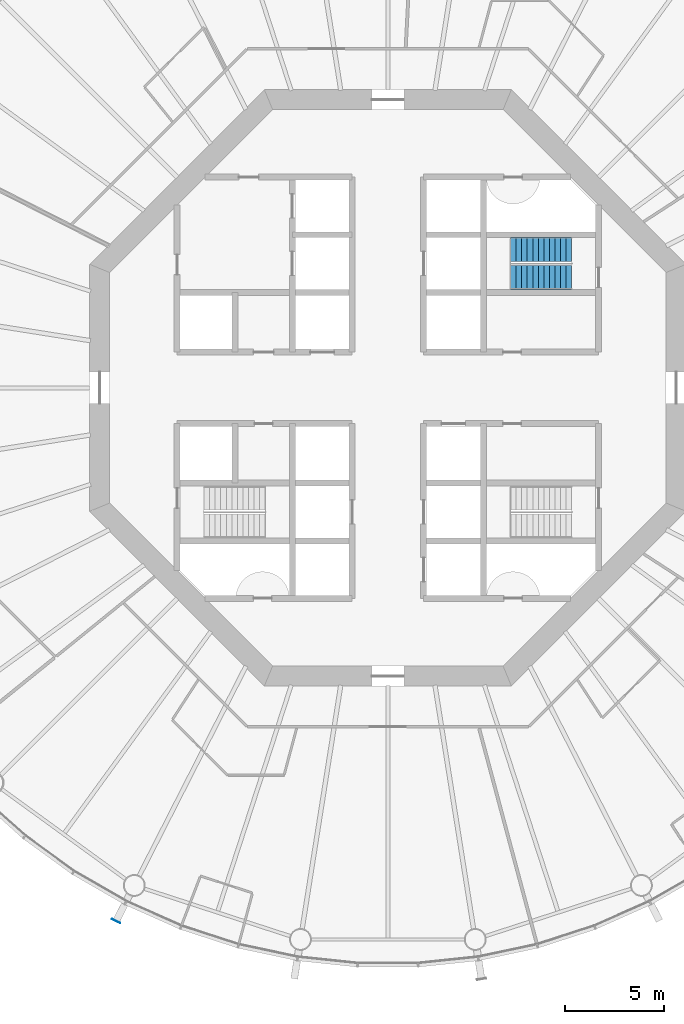
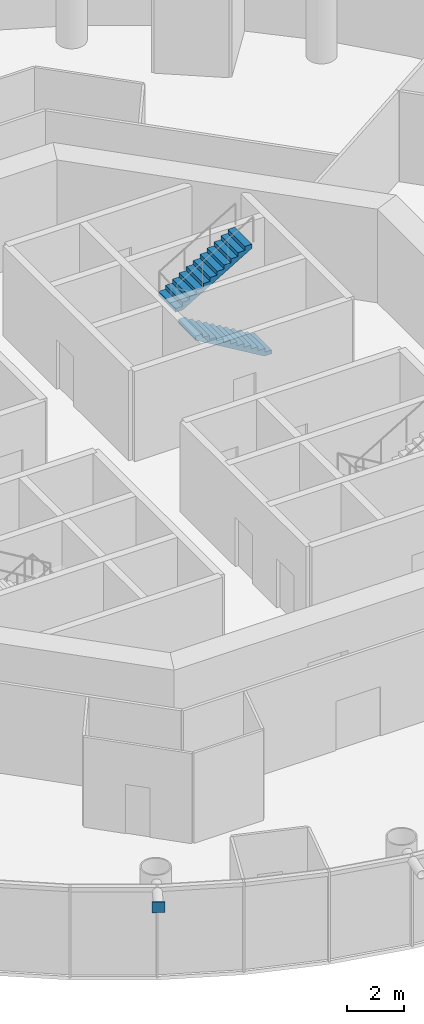
# One storey, part 6 of 17: 2 stair flights, 1 discrete accessory, 1 element without a shape of its own.
"""IFC4 building model written with IfcOpenShell, lengths in metres."""

from ifc_helpers import new_model, si_unit, direction, frame, origin, origin_2d, place, context, subcontext, project, spatial, polyline, rectangle, outline, extrude, material, type_object, element, aggregate, save


model = new_model("IFC4")

# Units and contexts
model_context = context("Model", 3, precision=1e-05, world=origin(), true_north=direction((0.0, 1.0)))
body_context = subcontext(model_context, "Body", "Model", "MODEL_VIEW")
ifc_project = project(units=[si_unit("LENGTHUNIT", "METRE"), si_unit("AREAUNIT", "SQUARE_METRE"), si_unit("VOLUMEUNIT", "CUBIC_METRE"), si_unit("PLANEANGLEUNIT", "RADIAN"), si_unit("MASSUNIT", "GRAM", prefix="KILO")], contexts=[model_context])

# Site, building, storey
site_placement = place(None, origin())
site = spatial("IfcSite", under=ifc_project, at=site_placement, CompositionType="ELEMENT")
building_placement = place(site_placement, origin())
building = spatial("IfcBuilding", under=site, at=building_placement, Name="Entoto Ring Tower", CompositionType="ELEMENT")
storey_placement = place(building_placement, frame((0.0, 0.0, 176.0)))
storey = spatial("IfcBuildingStorey", under=building, at=storey_placement, Name="L40", CompositionType="ELEMENT", Elevation=176.0)

# Stair, stair flights
ifc_material_1 = material(Name="Concrete C40/50", Category="concrete")
stair_type = type_object("IfcStairType", Name="Exit stair 1200 mm dog-leg reinforced concrete", PredefinedType="HALF_TURN_STAIR", material=ifc_material_1)
stair_placement = place(storey_placement, origin())
stair = element("IfcStair", 1, at=stair_placement, inside=storey, type_object=stair_type, Name="Exit stair 1", PredefinedType="HALF_TURN_STAIR")
ifc_material_2 = material(Name="Concrete C40/50", Category="concrete")
stair_flight_type = type_object("IfcStairFlightType", Name="Stair flight 1200 mm reinforced concrete", PredefinedType="STRAIGHT", material=ifc_material_2)
stair_flight_1_placement = place(storey_placement, frame((99.25, 85.550048828125, 0.0), z_axis=(0.0, 0.0, 1.0), x_axis=(-1.0, 0.0, 0.0)))
stair_flight_1 = element("IfcStairFlight", 2, at=stair_flight_1_placement, type_object=stair_flight_type, Name="ST1 flight 1", NumberOfRisers=12, NumberOfTreads=11, PredefinedType="STRAIGHT", RiserHeight=0.166666667, TreadLength=0.28, context=body_context, shape_type="SweptSolid", body=[
    extrude(outline(polyline([(0.0, 0.0), (0.0, 0.166748046875), (0.280029296875, 0.166748046875), (0.280029296875, 0.333251953125), (0.56005859375, 0.333251953125), (0.56005859375, 0.5), (0.840087890625, 0.5), (0.840087890625, 0.666748046875), (1.1201171875, 0.666748046875), (1.1201171875, 0.833251953125), (1.39990234375, 0.833251953125), (1.39990234375, 1.0), (1.679931640625, 1.0), (1.679931640625, 1.166748046875), (1.9599609375, 1.166748046875), (1.9599609375, 1.333251953125), (2.239990234375, 1.333251953125), (2.239990234375, 1.5), (2.52001953125, 1.5), (2.52001953125, 1.666748046875), (2.800048828125, 1.666748046875), (2.800048828125, 1.833251953125), (3.080078125, 1.833251953125), (3.080078125, 2.0), (3.080078125, 1.658935546875), (0.29296875, 0.0), (0.0, 0.0)])), frame((0.0, 0.60009765625, 0.0), z_axis=(0.0, -1.0, 0.0), x_axis=(1.0, 0.0, 0.0)), (0.0, 0.0, 1.0), 1.199951171875),
])
stair_flight_2_placement = place(storey_placement, frame((96.169921875, 86.949951171875, 2.0), z_axis=(0.0, 0.0, 1.0), x_axis=(1.0, 0.0, 0.0)))
stair_flight_2 = element("IfcStairFlight", 3, at=stair_flight_2_placement, type_object=stair_flight_type, Name="ST1 flight 2", NumberOfRisers=12, NumberOfTreads=11, PredefinedType="STRAIGHT", RiserHeight=0.166666667, TreadLength=0.28, context=body_context, shape_type="SweptSolid", body=[
    extrude(outline(polyline([(0.0, 0.0), (0.0, 0.166748046875), (0.280029296875, 0.166748046875), (0.280029296875, 0.333251953125), (0.56005859375, 0.333251953125), (0.56005859375, 0.5), (0.840087890625, 0.5), (0.840087890625, 0.666748046875), (1.1201171875, 0.666748046875), (1.1201171875, 0.833251953125), (1.39990234375, 0.833251953125), (1.39990234375, 1.0), (1.679931640625, 1.0), (1.679931640625, 1.166748046875), (1.9599609375, 1.166748046875), (1.9599609375, 1.333251953125), (2.239990234375, 1.333251953125), (2.239990234375, 1.5), (2.52001953125, 1.5), (2.52001953125, 1.666748046875), (2.800048828125, 1.666748046875), (2.800048828125, 1.833251953125), (3.080078125, 1.833251953125), (3.080078125, 2.0), (3.080078125, 1.658935546875), (0.29296875, 0.0), (0.0, 0.0)])), frame((0.0, 0.60009765625, 0.0), z_axis=(0.0, -1.0, 0.0), x_axis=(1.0, 0.0, 0.0)), (0.0, 0.0, 1.0), 1.199951171875),
])
aggregate(stair, [stair_flight_1, stair_flight_2])

# Discrete accessory
ifc_material_3 = material(Name="Steel S355", Category="steel")
discrete_accessory_placement = place(storey_placement, frame((76.328125, 53.167236328125, 3.4443359375), z_axis=(0.0, 0.0, 1.0), x_axis=(-0.45399049974, -0.891006524188, 0.0)))
element("IfcDiscreteAccessory", 4, at=discrete_accessory_placement, inside=storey, material=ifc_material_3, Name="Node strut end plate DS1 ring 12 14", PredefinedType="BRACKET", context=body_context, shape_type="SweptSolid", body=[
    extrude(rectangle(XDim=0.030029296875, YDim=0.45556640625, at=origin_2d()), origin(), (0.0, 0.0, 1.0), 0.45556640625),
])

save(model, "model.ifc")
